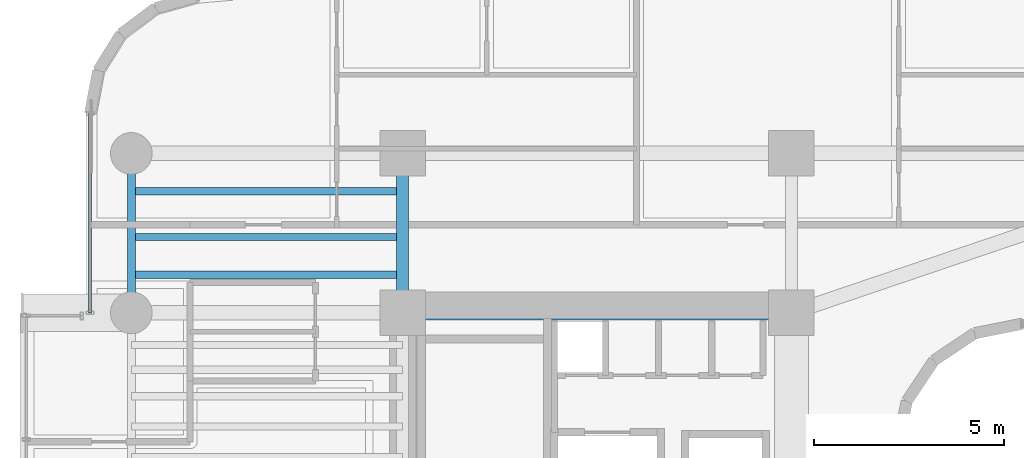
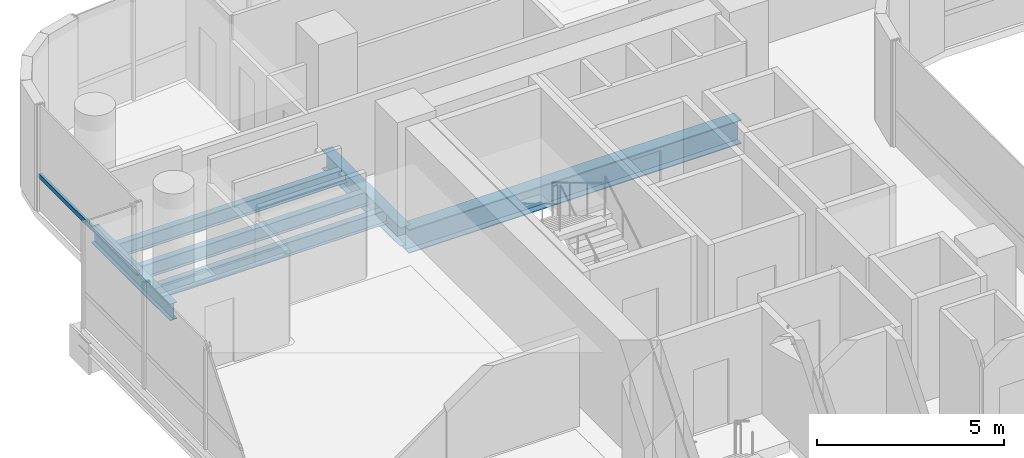
# One storey, part 8 of 36: 6 beams, 1 member, 1 element without a shape of its own.
"""IFC4 building model written with IfcOpenShell, lengths in metres."""

from ifc_helpers import new_model, si_unit, direction, frame, origin, origin_2d, place, context, subcontext, project, spatial, hollow_rectangle, i_section, extrude, source, transform, mapped, material, material_profile, profile_set, type_object, element, aggregate, save


model = new_model("IFC4")

# Units and contexts
model_context = context("Model", 3, precision=1e-05, world=origin(), true_north=direction((0.0, 1.0)))
body_context = subcontext(model_context, "Body", "Model", "MODEL_VIEW")
ifc_project = project(units=[si_unit("LENGTHUNIT", "METRE"), si_unit("AREAUNIT", "SQUARE_METRE"), si_unit("VOLUMEUNIT", "CUBIC_METRE"), si_unit("PLANEANGLEUNIT", "RADIAN"), si_unit("MASSUNIT", "GRAM", prefix="KILO")], contexts=[model_context])

# Site, building, storey
site_placement = place(None, origin())
site = spatial("IfcSite", under=ifc_project, at=site_placement, CompositionType="ELEMENT")
building_placement = place(site_placement, origin())
building = spatial("IfcBuilding", under=site, at=building_placement, Name="Valdorenza Pilgrim Sanctuary Tower", CompositionType="ELEMENT")
storey_placement = place(building_placement, frame((0.0, 0.0, 109.39990234375)))
storey = spatial("IfcBuildingStorey", under=building, at=storey_placement, Name="L27", CompositionType="ELEMENT", Elevation=109.39990234375)

# Beams
ifc_material_1 = material(Name="Steel ASTM A992 Grade 50", Category="steel")
ifc_material_profile_1 = material_profile(ifc_material_1, i_section(OverallWidth=0.214111328125, OverallDepth=0.549072265625, WebThickness=0.0146484375, FlangeThickness=0.023681640625, at=origin_2d()), Name="W21X93")
ifc_profile_set_1 = profile_set([ifc_material_profile_1], Name="Steel ASTM A992 Grade 50")
beam_type_1 = type_object("IfcBeamType", Name="STR-BM-SPN-W21A", PredefinedType="SPANDREL", material=ifc_profile_set_1)
shared_shape_1 = source(origin(), body_context, "Body", "SweptSolid", [
    extrude(i_section(OverallWidth=0.214111328125, OverallDepth=0.549072265625, WebThickness=0.0146484375, FlangeThickness=0.023681640625, at=origin_2d()), origin(), (0.0, 0.0, 1.0), 4.199951171875),
])
beam_1_placement = place(storey_placement, frame((-29.800048828125, 10.60009765625, -0.514404296875), z_axis=(0.0, 1.0, 0.0), x_axis=(-1.0, 0.0, 0.0)))
element("IfcBeam", 1, at=beam_1_placement, inside=storey, type_object=beam_type_1, Name="L27 Spandrel Beam WA-W-N1N2", PredefinedType="SPANDREL", context=body_context, shape_type="MappedRepresentation", body=[
    mapped(shared_shape_1, transform((0.0, 0.0, 0.0), x_axis=(1.0, 0.0, 0.0), y_axis=(0.0, 1.0, 0.0), z_axis=(0.0, 0.0, 1.0), scale=1.0)),
])
ifc_material_profile_2 = material_profile(ifc_material_1, i_section(OverallWidth=0.323974609375, OverallDepth=0.611083984375, WebThickness=0.0126953125, FlangeThickness=0.01904296875, at=origin_2d()), Name="W24X104")
ifc_profile_set_2 = profile_set([ifc_material_profile_2], Name="Steel ASTM A992 Grade 50")
beam_type_2 = type_object("IfcBeamType", Name="STR-BM-GRD-W24B", PredefinedType="BEAM", material=ifc_profile_set_2)
shared_shape_2 = source(origin(), body_context, "Body", "SweptSolid", [
    extrude(i_section(OverallWidth=0.323974609375, OverallDepth=0.611083984375, WebThickness=0.0126953125, FlangeThickness=0.01904296875, at=origin_2d()), origin(), (0.0, 0.0, 1.0), 4.199951171875),
])
beam_2_placement = place(storey_placement, frame((-22.64990234375, 10.60009765625, -0.54541015625), z_axis=(0.0, 1.0, 0.0), x_axis=(-1.0, 0.0, 0.0)))
element("IfcBeam", 2, at=beam_2_placement, inside=storey, type_object=beam_type_2, Name="L27 Core Tie Girder CA-W-N1N2", PredefinedType="BEAM", context=body_context, shape_type="MappedRepresentation", body=[
    mapped(shared_shape_2, transform((0.0, 0.0, 0.0), x_axis=(1.0, 0.0, 0.0), y_axis=(0.0, 1.0, 0.0), z_axis=(0.0, 0.0, 1.0), scale=1.0)),
])
ifc_material_profile_3 = material_profile(ifc_material_1, i_section(OverallWidth=0.382080078125, OverallDepth=0.779052734375, WebThickness=0.01806640625, FlangeThickness=0.030029296875, at=origin_2d()), Name="W30X191")
ifc_profile_set_3 = profile_set([ifc_material_profile_3], Name="Steel ASTM A992 Grade 50")
beam_type_3 = type_object("IfcBeamType", Name="STR-BM-GRD-W30", PredefinedType="BEAM", material=ifc_profile_set_3)
shared_shape_3 = source(origin(), body_context, "Body", "SweptSolid", [
    extrude(i_section(OverallWidth=0.382080078125, OverallDepth=0.779052734375, WebThickness=0.01806640625, FlangeThickness=0.030029296875, at=origin_2d()), origin(), (0.0, 0.0, 1.0), 10.25),
])
beam_3_placement = place(storey_placement, frame((-22.64990234375, 10.60009765625, -0.62939453125), z_axis=(1.0, 0.0, 0.0), x_axis=(0.0, 1.0, 0.0)))
element("IfcBeam", 3, at=beam_3_placement, inside=storey, type_object=beam_type_3, Name="L27 Floor Girder CA-XC-N1", PredefinedType="BEAM", context=body_context, shape_type="MappedRepresentation", body=[
    mapped(shared_shape_3, transform((0.0, 0.0, 0.0), x_axis=(1.0, 0.0, 0.0), y_axis=(0.0, 1.0, 0.0), z_axis=(0.0, 0.0, 1.0), scale=1.0)),
])
ifc_material_profile_4 = material_profile(ifc_material_1, i_section(OverallWidth=0.19091796875, OverallDepth=0.45703125, WebThickness=0.009033203125, FlangeThickness=0.014404296875, at=origin_2d()), Name="W18X50")
ifc_profile_set_4 = profile_set([ifc_material_profile_4], Name="Steel ASTM A992 Grade 50")
beam_type_4 = type_object("IfcBeamType", Name="STR-BM-JST-W18B", PredefinedType="JOIST", material=ifc_profile_set_4)
shared_shape_4 = source(origin(), body_context, "Body", "SweptSolid", [
    extrude(i_section(OverallWidth=0.19091796875, OverallDepth=0.45703125, WebThickness=0.009033203125, FlangeThickness=0.014404296875, at=origin_2d()), origin(), (0.0, 0.0, 1.0), 7.150146484375),
])
for number, where, z_axis, x_axis, name in (
    (4, (-29.800048828125, 11.60009765625, -0.468505859375), (1.0, 0.0, 0.0), (0.0, 1.0, 0.0), "L27 Composite Floor Joist JST-WA-24"),
    (5, (-29.800048828125, 12.60009765625, -0.468505859375), (1.0, 0.0, 0.0), (0.0, 1.0, 0.0), "L27 Composite Floor Joist JST-WA-25"),
    (6, (-29.800048828125, 13.800048828125, -0.468505859375), (1.0, 0.0, 0.0), (0.0, 1.0, 0.0), "L27 Composite Floor Joist JST-WA-26"),
):
    element("IfcBeam", number, at=place(storey_placement, frame(where, z_axis=z_axis, x_axis=x_axis)), inside=storey, type_object=beam_type_4, Name=name, PredefinedType="JOIST", context=body_context, shape_type="MappedRepresentation", body=[
        mapped(shared_shape_4, transform((0.0, 0.0, 0.0), x_axis=(1.0, 0.0, 0.0), y_axis=(0.0, 1.0, 0.0), z_axis=(0.0, 0.0, 1.0), scale=1.0)),
    ])

# Curtain wall, member
ifc_material_2 = material(Name="Curtain-wall IGU glazing", Category="glass")
curtain_wall_type = type_object("IfcCurtainWallType", Name="CW-SYS-02", PredefinedType="NOTDEFINED", material=ifc_material_2)
curtain_wall_placement = place(storey_placement, origin())
curtain_wall = element("IfcCurtainWall", 7, at=curtain_wall_placement, inside=storey, type_object=curtain_wall_type, Name="L27 Curtain Wall CW-L27-1-1S2", PredefinedType="NOTDEFINED")
ifc_material_3 = material(Name="Anodised aluminium AW-6060", Category="aluminium")
ifc_material_profile_5 = material_profile(ifc_material_3, hollow_rectangle(XDim=0.074951171875, YDim=0.14990234375, WallThickness=0.00390625, at=origin_2d()), Name="ALU-T 150x75x4")
ifc_profile_set_5 = profile_set([ifc_material_profile_5], Name="Anodised aluminium AW-6060")
member_type = type_object("IfcMemberType", Name="CW-TRN-02", PredefinedType="USERDEFINED", material=ifc_profile_set_5)
shared_shape_5 = source(origin(), body_context, "Body", "SweptSolid", [
    extrude(hollow_rectangle(XDim=0.074951171875, YDim=0.14990234375, WallThickness=0.00390625, at=origin_2d()), origin(), (0.0, 0.0, 1.0), 5.250244140625),
])
member_placement = place(storey_placement, frame((-30.889892578125, 10.60009765625, 1.1201171875), z_axis=(0.0, 1.0, 0.0), x_axis=(-1.0, 0.0, 0.0)))
member = element("IfcMember", 8, at=member_placement, type_object=member_type, Name="CW-L27-1-1S2 Transom 1", ObjectType="TRANSOM", PredefinedType="USERDEFINED", context=body_context, shape_type="MappedRepresentation", body=[
    mapped(shared_shape_5, transform((0.0, 0.0, 0.0), x_axis=(1.0, 0.0, 0.0), y_axis=(0.0, 1.0, 0.0), z_axis=(0.0, 0.0, 1.0), scale=1.0)),
])
aggregate(curtain_wall, [member])

save(model, "model.ifc")
